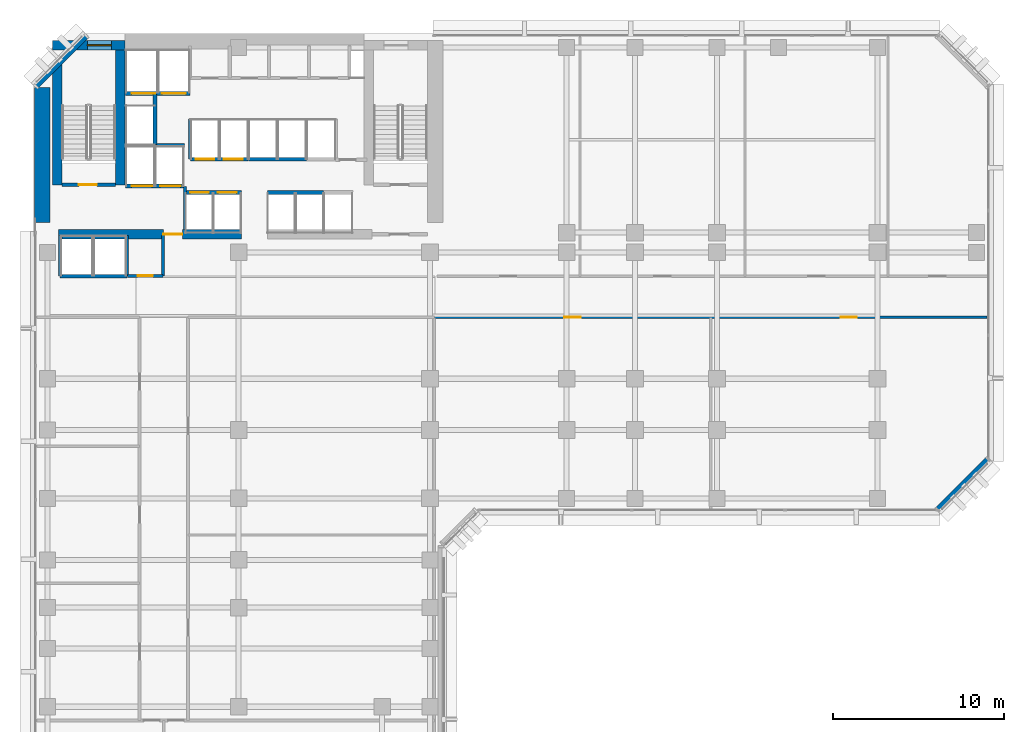
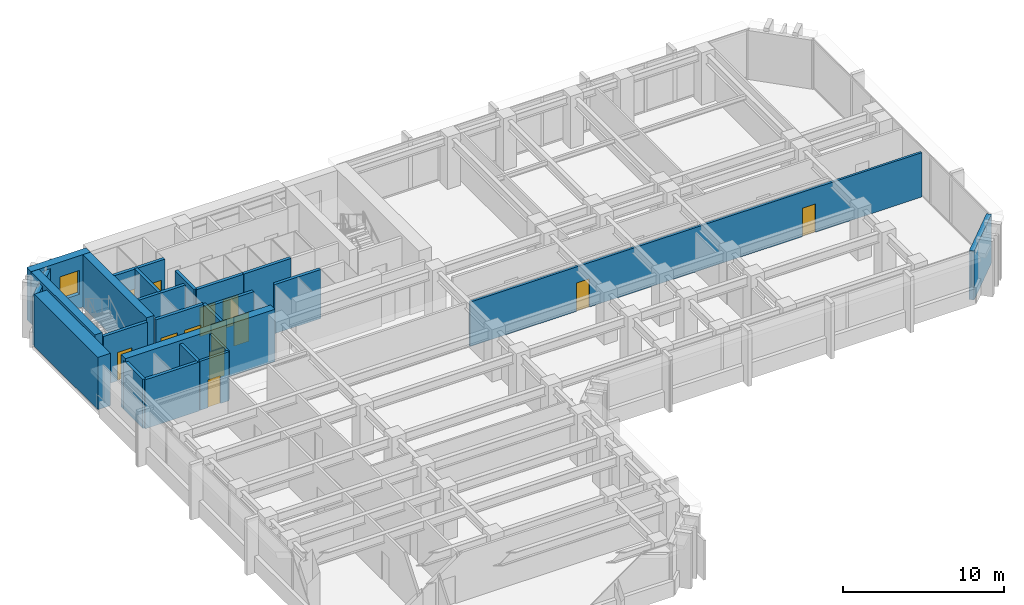
# One storey, part 7 of 14: 24 walls, 13 doors, 1 window, 14 openings.
"""IFC4 building model written with IfcOpenShell, lengths in metres."""

from ifc_helpers import new_model, si_unit, direction, frame, frame_2d, origin, place, context, subcontext, project, spatial, rectangle, extrude, material, layer, layer_set, type_object, element, fill, save


model = new_model("IFC4")

# Units and contexts
model_context = context("Model", 3, precision=1e-05, world=origin(), true_north=direction((0.0, 1.0)))
body_context = subcontext(model_context, "Body", "Model", "MODEL_VIEW")
ifc_project = project(units=[si_unit("LENGTHUNIT", "METRE"), si_unit("AREAUNIT", "SQUARE_METRE"), si_unit("VOLUMEUNIT", "CUBIC_METRE"), si_unit("PLANEANGLEUNIT", "RADIAN"), si_unit("MASSUNIT", "GRAM", prefix="KILO")], contexts=[model_context])

# Site, building, storey
site_placement = place(None, origin())
site = spatial("IfcSite", under=ifc_project, at=site_placement, CompositionType="ELEMENT")
building_placement = place(site_placement, origin())
building = spatial("IfcBuilding", under=site, at=building_placement, Name="Kefirva Bronze Tower", CompositionType="ELEMENT")
storey_placement = place(building_placement, frame((0.0, 0.0, 42.239990234375)))
storey = spatial("IfcBuildingStorey", under=building, at=storey_placement, Name="L09", CompositionType="ELEMENT", Elevation=42.239990234375)

# Wall, opening, door
ifc_material_1 = material(Name="Gypsum fireboard shaftwall")
ifc_layer_1 = layer(ifc_material_1, 0.219970703125, Name="Gypsum fireboard shaftwall")
ifc_layer_set_1 = layer_set([ifc_layer_1], Name="Gypsum fireboard shaftwall")
wall_type_1 = type_object("IfcWallType", Name="Fire-Rated Shaft Enclosure Wall 220mm", PredefinedType="PARTITIONING", material=ifc_layer_set_1)
wall_1_placement = place(storey_placement, frame((1.64990234375, 37.14990234375, 0.0), z_axis=(0.0, 0.0, 1.0), x_axis=(1.0, 0.0, 0.0)))
wall_1 = element("IfcWall", 1, at=wall_1_placement, inside=storey, type_object=wall_type_1, Name="L09 Partition W-L09-ST1S", PredefinedType="PARTITIONING", context=body_context, shape_type="SweptSolid", body=[
    extrude(rectangle(XDim=3.150146484375, YDim=0.219970703125, at=frame_2d((1.5751953125, 0.0))), origin(), (0.0, 0.0, 1.0), 3.7099609375),
])
opening_1_placement = place(wall_1_placement, frame((2.050048828125, 0.0, 0.0), z_axis=(0.0, 0.0, 1.0), x_axis=(-1.0, 0.0, 0.0)))
opening_1 = element("IfcOpeningElement", 2, at=opening_1_placement, cuts=wall_1, Name="Opening L09-D001", PredefinedType="OPENING", context=body_context, shape_type="SweptSolid", body=[
    extrude(rectangle(XDim=1.050048828125, YDim=2.14990234375, at=frame_2d((0.52490234375, 1.074951171875))), frame((0.0, 0.1201171875, 0.0), z_axis=(0.0, -1.0, 0.0), x_axis=(1.0, 0.0, 0.0)), (0.0, 0.0, 1.0), 0.239990234375),
])
ifc_material_2 = material(Name="Painted galvanized steel", Category="steel")
door_type_1 = type_object("IfcDoorType", Name="Fire Stair Enclosure Door 1050x2150 FD90S", OperationType="NOTDEFINED", PredefinedType="DOOR", material=ifc_material_2)
door_1_placement = place(opening_1_placement, origin())
door_1 = element("IfcDoor", 3, at=door_1_placement, inside=storey, type_object=door_type_1, Name="Door L09-D001", OperationType="SINGLE_SWING_LEFT", OverallHeight=2.14990234375, OverallWidth=1.050048828125, PredefinedType="DOOR", context=body_context, shape_type="SweptSolid", body=[
    extrude(rectangle(XDim=1.050048828125, YDim=2.14990234375, at=frame_2d((0.52490234375, 1.074951171875))), frame((0.0, 0.02490234375, 0.0), z_axis=(0.0, -1.0, 0.0), x_axis=(1.0, 0.0, 0.0)), (0.0, 0.0, 1.0), 0.050048828125),
])
fill(opening_1, door_1)

# Wall, openings, doors
wall_2_placement = place(storey_placement, frame((5.3798828125, 37.080078125, 0.0), z_axis=(0.0, 0.0, 1.0), x_axis=(1.0, 0.0, 0.0)))
wall_2 = element("IfcWall", 4, at=wall_2_placement, inside=storey, type_object=wall_type_1, Name="L09 Partition W-L09-FFS", PredefinedType="PARTITIONING", context=body_context, shape_type="SweptSolid", body=[
    extrude(rectangle(XDim=3.460205078125, YDim=0.219970703125, at=frame_2d((1.72998046875, 0.0))), origin(), (0.0, 0.0, 1.0), 3.7099609375),
])
opening_2_placement = place(wall_2_placement, frame((1.550048828125, 0.0, 0.0), z_axis=(0.0, 0.0, 1.0), x_axis=(-1.0, 0.0, 0.0)))
opening_2 = element("IfcOpeningElement", 5, at=opening_2_placement, cuts=wall_2, Name="Opening L09-LD-FF1", PredefinedType="OPENING", context=body_context, shape_type="SweptSolid", body=[
    extrude(rectangle(XDim=1.199951171875, YDim=2.199951171875, at=frame_2d((0.60009765625, 1.10009765625))), frame((0.0, 0.1201171875, 0.0), z_axis=(0.0, -1.0, 0.0), x_axis=(1.0, 0.0, 0.0)), (0.0, 0.0, 1.0), 0.239990234375),
])
opening_3_placement = place(wall_2_placement, frame((3.219970703125, 0.0, 0.0), z_axis=(0.0, 0.0, 1.0), x_axis=(-1.0, 0.0, 0.0)))
opening_3 = element("IfcOpeningElement", 6, at=opening_3_placement, cuts=wall_2, Name="Opening L09-LD-FF2", PredefinedType="OPENING", context=body_context, shape_type="SweptSolid", body=[
    extrude(rectangle(XDim=1.199951171875, YDim=2.199951171875, at=frame_2d((0.60009765625, 1.10009765625))), frame((0.0, 0.1201171875, 0.0), z_axis=(0.0, -1.0, 0.0), x_axis=(1.0, 0.0, 0.0)), (0.0, 0.0, 1.0), 0.239990234375),
])
ifc_material_3 = material(Name="Stainless steel 316", Category="steel")
door_type_2 = type_object("IfcDoorType", Name="Firefighting Lift Sliding Door 1200x2200", OperationType="SLIDING_TO_RIGHT", PredefinedType="DOOR", material=ifc_material_3)
door_2_placement = place(opening_2_placement, origin())
door_2 = element("IfcDoor", 7, at=door_2_placement, inside=storey, type_object=door_type_2, Name="Door L09-LD-FF1", OperationType="SLIDING_TO_RIGHT", OverallHeight=2.199951171875, OverallWidth=1.199951171875, PredefinedType="DOOR", context=body_context, shape_type="SweptSolid", body=[
    extrude(rectangle(XDim=1.199951171875, YDim=2.199951171875, at=frame_2d((0.60009765625, 1.10009765625))), frame((0.0, 0.02490234375, 0.0), z_axis=(0.0, -1.0, 0.0), x_axis=(1.0, 0.0, 0.0)), (0.0, 0.0, 1.0), 0.050048828125),
])
fill(opening_2, door_2)
door_3_placement = place(opening_3_placement, origin())
door_3 = element("IfcDoor", 8, at=door_3_placement, inside=storey, type_object=door_type_2, Name="Door L09-LD-FF2", OperationType="SLIDING_TO_RIGHT", OverallHeight=2.199951171875, OverallWidth=1.199951171875, PredefinedType="DOOR", context=body_context, shape_type="SweptSolid", body=[
    extrude(rectangle(XDim=1.199951171875, YDim=2.199951171875, at=frame_2d((0.60009765625, 1.10009765625))), frame((0.0, 0.02490234375, 0.0), z_axis=(0.0, -1.0, 0.0), x_axis=(1.0, 0.0, 0.0)), (0.0, 0.0, 1.0), 0.050048828125),
])
fill(opening_3, door_3)

# Wall
wall_3_placement = place(storey_placement, frame((5.3798828125, 39.449951171875, 0.0), z_axis=(0.0, 0.0, 1.0), x_axis=(1.0, 0.0, 0.0)))
element("IfcWall", 9, at=wall_3_placement, inside=storey, type_object=wall_type_1, Name="L09 Partition W-L09-FFN", PredefinedType="PARTITIONING", context=body_context, shape_type="SweptSolid", body=[
    extrude(rectangle(XDim=3.460205078125, YDim=0.219970703125, at=frame_2d((1.72998046875, 0.0))), origin(), (0.0, 0.0, 1.0), 3.7099609375),
])

# Wall, openings, doors
wall_4_placement = place(storey_placement, frame((5.3798828125, 42.5, 0.0), z_axis=(0.0, 0.0, 1.0), x_axis=(1.0, 0.0, 0.0)))
wall_4 = element("IfcWall", 10, at=wall_4_placement, inside=storey, type_object=wall_type_1, Name="L09 Partition W-L09-SVS", PredefinedType="PARTITIONING", context=body_context, shape_type="SweptSolid", body=[
    extrude(rectangle(XDim=3.77001953125, YDim=0.219970703125, at=frame_2d((1.885009765625, 0.0))), origin(), (0.0, 0.0, 1.0), 3.7099609375),
])
opening_4_placement = place(wall_4_placement, frame((1.75, 0.0, 0.0), z_axis=(0.0, 0.0, 1.0), x_axis=(-1.0, 0.0, 0.0)))
opening_4 = element("IfcOpeningElement", 11, at=opening_4_placement, cuts=wall_4, Name="Opening L09-LD-SV1", PredefinedType="OPENING", context=body_context, shape_type="SweptSolid", body=[
    extrude(rectangle(XDim=1.39990234375, YDim=2.199951171875, at=frame_2d((0.699951171875, 1.10009765625))), frame((0.0, 0.1201171875, 0.0), z_axis=(0.0, -1.0, 0.0), x_axis=(1.0, 0.0, 0.0)), (0.0, 0.0, 1.0), 0.239990234375),
])
opening_5_placement = place(wall_4_placement, frame((3.52978515625, 0.0, 0.0), z_axis=(0.0, 0.0, 1.0), x_axis=(-1.0, 0.0, 0.0)))
opening_5 = element("IfcOpeningElement", 12, at=opening_5_placement, cuts=wall_4, Name="Opening L09-LD-SV2", PredefinedType="OPENING", context=body_context, shape_type="SweptSolid", body=[
    extrude(rectangle(XDim=1.39990234375, YDim=2.199951171875, at=frame_2d((0.699951171875, 1.10009765625))), frame((0.0, 0.1201171875, 0.0), z_axis=(0.0, -1.0, 0.0), x_axis=(1.0, 0.0, 0.0)), (0.0, 0.0, 1.0), 0.239990234375),
])
door_type_3 = type_object("IfcDoorType", Name="Goods Lift Bi-Parting Sliding Door 1400x2200", OperationType="SLIDING_TO_LEFT", PredefinedType="DOOR", material=ifc_material_3)
door_4_placement = place(opening_4_placement, origin())
door_4 = element("IfcDoor", 13, at=door_4_placement, inside=storey, type_object=door_type_3, Name="Door L09-LD-SV1", OperationType="SLIDING_TO_LEFT", OverallHeight=2.199951171875, OverallWidth=1.39990234375, PredefinedType="DOOR", context=body_context, shape_type="SweptSolid", body=[
    extrude(rectangle(XDim=1.39990234375, YDim=2.199951171875, at=frame_2d((0.699951171875, 1.10009765625))), frame((0.0, 0.02490234375, 0.0), z_axis=(0.0, -1.0, 0.0), x_axis=(1.0, 0.0, 0.0)), (0.0, 0.0, 1.0), 0.050048828125),
])
fill(opening_4, door_4)
door_5_placement = place(opening_5_placement, origin())
door_5 = element("IfcDoor", 14, at=door_5_placement, inside=storey, type_object=door_type_3, Name="Door L09-LD-SV2", OperationType="SLIDING_TO_LEFT", OverallHeight=2.199951171875, OverallWidth=1.39990234375, PredefinedType="DOOR", context=body_context, shape_type="SweptSolid", body=[
    extrude(rectangle(XDim=1.39990234375, YDim=2.199951171875, at=frame_2d((0.699951171875, 1.10009765625))), frame((0.0, 0.02490234375, 0.0), z_axis=(0.0, -1.0, 0.0), x_axis=(1.0, 0.0, 0.0)), (0.0, 0.0, 1.0), 0.050048828125),
])
fill(opening_5, door_5)

# Walls
wall_5_placement = place(storey_placement, frame((7.10009765625, 39.52001953125, 0.0), z_axis=(0.0, 0.0, 1.0), x_axis=(0.0, 1.0, 0.0)))
element("IfcWall", 15, at=wall_5_placement, inside=storey, type_object=wall_type_1, Name="L09 Partition W-L09-HP3E", PredefinedType="PARTITIONING", context=body_context, shape_type="SweptSolid", body=[
    extrude(rectangle(XDim=2.929931640625, YDim=0.219970703125, at=frame_2d((1.46484375, 0.0))), origin(), (0.0, 0.0, 1.0), 3.7099609375),
])
wall_6_placement = place(storey_placement, frame((1.550048828125, 31.800048828125, 0.0), z_axis=(0.0, 0.0, 1.0), x_axis=(1.0, 0.0, 0.0)))
element("IfcWall", 16, at=wall_6_placement, inside=storey, type_object=wall_type_1, Name="L09 Partition W-L09-OBS", PredefinedType="PARTITIONING", context=body_context, shape_type="SweptSolid", body=[
    extrude(rectangle(XDim=3.89990234375, YDim=0.219970703125, at=frame_2d((1.949951171875, 0.0))), origin(), (0.0, 0.0, 1.0), 3.7099609375),
])
for number, where, z_axis, x_axis, name in (
    (17, (1.550048828125, 31.800048828125, 0.0), (0.0, 0.0, 1.0), (0.0, 1.0, 0.0), "L09 Partition W-L09-OBW"),
    (18, (5.449951171875, 31.800048828125, 0.0), (0.0, 0.0, 1.0), (0.0, 1.0, 0.0), "L09 Partition W-L09-OBE"),
):
    element("IfcWall", number, at=place(storey_placement, frame(where, z_axis=z_axis, x_axis=x_axis)), inside=storey, type_object=wall_type_1, Name=name, PredefinedType="PARTITIONING", context=body_context, shape_type="SweptSolid", body=[
        extrude(rectangle(XDim=2.3798828125, YDim=0.219970703125, at=frame_2d((1.18994140625, 0.0))), origin(), (0.0, 0.0, 1.0), 3.7099609375),
    ])
wall_7_placement = place(storey_placement, frame((9.159912109375, 38.64990234375, 0.0), z_axis=(0.0, 0.0, 1.0), x_axis=(0.0, 1.0, 0.0)))
element("IfcWall", 19, at=wall_7_placement, inside=storey, type_object=wall_type_1, Name="L09 Partition W-L09-LP3W", PredefinedType="PARTITIONING", context=body_context, shape_type="SweptSolid", body=[
    extrude(rectangle(XDim=2.35009765625, YDim=0.199951171875, at=frame_2d((1.175048828125, 0.0))), origin(), (0.0, 0.0, 1.0), 3.7099609375),
])

# Wall, openings, doors
wall_8_placement = place(storey_placement, frame((8.89990234375, 36.699951171875, 0.0), z_axis=(0.0, 0.0, 1.0), x_axis=(1.0, 0.0, 0.0)))
wall_8 = element("IfcWall", 20, at=wall_8_placement, inside=storey, type_object=wall_type_1, Name="L09 Partition W-L09-LPS", PredefinedType="PARTITIONING", context=body_context, shape_type="SweptSolid", body=[
    extrude(rectangle(XDim=3.260009765625, YDim=0.219970703125, at=frame_2d((1.6298828125, 0.0))), origin(), (0.0, 0.0, 1.0), 3.7099609375),
])
opening_6_placement = place(wall_8_placement, frame((0.260009765625, 0.0, 0.0)))
opening_6 = element("IfcOpeningElement", 21, at=opening_6_placement, cuts=wall_8, Name="Opening L09-LD-LP1", PredefinedType="OPENING", context=body_context, shape_type="SweptSolid", body=[
    extrude(rectangle(XDim=1.10009765625, YDim=2.199951171875, at=frame_2d((0.550048828125, 1.10009765625))), frame((0.0, 0.1201171875, 0.0), z_axis=(0.0, -1.0, 0.0), x_axis=(1.0, 0.0, 0.0)), (0.0, 0.0, 1.0), 0.239990234375),
])
opening_7_placement = place(wall_8_placement, frame((1.8798828125, 0.0, 0.0)))
opening_7 = element("IfcOpeningElement", 22, at=opening_7_placement, cuts=wall_8, Name="Opening L09-LD-LP2", PredefinedType="OPENING", context=body_context, shape_type="SweptSolid", body=[
    extrude(rectangle(XDim=1.10009765625, YDim=2.199951171875, at=frame_2d((0.550048828125, 1.10009765625))), frame((0.0, 0.1201171875, 0.0), z_axis=(0.0, -1.0, 0.0), x_axis=(1.0, 0.0, 0.0)), (0.0, 0.0, 1.0), 0.239990234375),
])
door_type_4 = type_object("IfcDoorType", Name="Passenger Lift Sliding Landing Door 1100x2200", OperationType="SLIDING_TO_LEFT", PredefinedType="DOOR", material=ifc_material_3)
door_6_placement = place(opening_6_placement, origin())
door_6 = element("IfcDoor", 23, at=door_6_placement, inside=storey, type_object=door_type_4, Name="Door L09-LD-LP1", OperationType="SLIDING_TO_LEFT", OverallHeight=2.199951171875, OverallWidth=1.10009765625, PredefinedType="DOOR", context=body_context, shape_type="SweptSolid", body=[
    extrude(rectangle(XDim=1.10009765625, YDim=2.199951171875, at=frame_2d((0.550048828125, 1.10009765625))), frame((0.0, 0.02490234375, 0.0), z_axis=(0.0, -1.0, 0.0), x_axis=(1.0, 0.0, 0.0)), (0.0, 0.0, 1.0), 0.050048828125),
])
fill(opening_6, door_6)
door_7_placement = place(opening_7_placement, origin())
door_7 = element("IfcDoor", 24, at=door_7_placement, inside=storey, type_object=door_type_4, Name="Door L09-LD-LP2", OperationType="SLIDING_TO_LEFT", OverallHeight=2.199951171875, OverallWidth=1.10009765625, PredefinedType="DOOR", context=body_context, shape_type="SweptSolid", body=[
    extrude(rectangle(XDim=1.10009765625, YDim=2.199951171875, at=frame_2d((0.550048828125, 1.10009765625))), frame((0.0, 0.02490234375, 0.0), z_axis=(0.0, -1.0, 0.0), x_axis=(1.0, 0.0, 0.0)), (0.0, 0.0, 1.0), 0.050048828125),
])
fill(opening_7, door_7)

wall_9_placement = place(storey_placement, frame((9.179931640625, 38.64990234375, 0.0), z_axis=(0.0, 0.0, 1.0), x_axis=(1.0, 0.0, 0.0)))
wall_9 = element("IfcWall", 25, at=wall_9_placement, inside=storey, type_object=wall_type_1, Name="L09 Partition W-L09-LPN", PredefinedType="PARTITIONING", context=body_context, shape_type="SweptSolid", body=[
    extrude(rectangle(XDim=3.380126953125, YDim=0.219970703125, at=frame_2d((1.68994140625, 0.0))), origin(), (0.0, 0.0, 1.0), 3.7099609375),
])
opening_8_placement = place(wall_9_placement, frame((0.300048828125, 0.0, 0.0)))
opening_8 = element("IfcOpeningElement", 26, at=opening_8_placement, cuts=wall_9, Name="Opening L09-LD-LP3", PredefinedType="OPENING", context=body_context, shape_type="SweptSolid", body=[
    extrude(rectangle(XDim=1.10009765625, YDim=2.199951171875, at=frame_2d((0.550048828125, 1.10009765625))), frame((0.0, 0.1201171875, 0.0), z_axis=(0.0, -1.0, 0.0), x_axis=(1.0, 0.0, 0.0)), (0.0, 0.0, 1.0), 0.239990234375),
])
opening_9_placement = place(wall_9_placement, frame((1.949951171875, 0.0, 0.0)))
opening_9 = element("IfcOpeningElement", 27, at=opening_9_placement, cuts=wall_9, Name="Opening L09-LD-LP4", PredefinedType="OPENING", context=body_context, shape_type="SweptSolid", body=[
    extrude(rectangle(XDim=1.10009765625, YDim=2.199951171875, at=frame_2d((0.550048828125, 1.10009765625))), frame((0.0, 0.1201171875, 0.0), z_axis=(0.0, -1.0, 0.0), x_axis=(1.0, 0.0, 0.0)), (0.0, 0.0, 1.0), 0.239990234375),
])
door_8_placement = place(opening_8_placement, origin())
door_8 = element("IfcDoor", 28, at=door_8_placement, inside=storey, type_object=door_type_4, Name="Door L09-LD-LP3", OperationType="SLIDING_TO_LEFT", OverallHeight=2.199951171875, OverallWidth=1.10009765625, PredefinedType="DOOR", context=body_context, shape_type="SweptSolid", body=[
    extrude(rectangle(XDim=1.10009765625, YDim=2.199951171875, at=frame_2d((0.550048828125, 1.10009765625))), frame((0.0, 0.02490234375, 0.0), z_axis=(0.0, -1.0, 0.0), x_axis=(1.0, 0.0, 0.0)), (0.0, 0.0, 1.0), 0.050048828125),
])
fill(opening_8, door_8)
door_9_placement = place(opening_9_placement, origin())
door_9 = element("IfcDoor", 29, at=door_9_placement, inside=storey, type_object=door_type_4, Name="Door L09-LD-LP4", OperationType="SLIDING_TO_LEFT", OverallHeight=2.199951171875, OverallWidth=1.10009765625, PredefinedType="DOOR", context=body_context, shape_type="SweptSolid", body=[
    extrude(rectangle(XDim=1.10009765625, YDim=2.199951171875, at=frame_2d((0.550048828125, 1.10009765625))), frame((0.0, 0.02490234375, 0.0), z_axis=(0.0, -1.0, 0.0), x_axis=(1.0, 0.0, 0.0)), (0.0, 0.0, 1.0), 0.050048828125),
])
fill(opening_9, door_9)

# Walls
wall_10_placement = place(storey_placement, frame((13.679931640625, 36.699951171875, 0.0), z_axis=(0.0, 0.0, 1.0), x_axis=(1.0, 0.0, 0.0)))
element("IfcWall", 30, at=wall_10_placement, inside=storey, type_object=wall_type_1, Name="L09 Partition W-L09-MPS", PredefinedType="PARTITIONING", context=body_context, shape_type="SweptSolid", body=[
    extrude(rectangle(XDim=3.280029296875, YDim=0.219970703125, at=frame_2d((1.64013671875, 0.0))), origin(), (0.0, 0.0, 1.0), 3.7099609375),
])
wall_11_placement = place(storey_placement, frame((12.580078125, 38.64990234375, 0.0), z_axis=(0.0, 0.0, 1.0), x_axis=(1.0, 0.0, 0.0)))
element("IfcWall", 31, at=wall_11_placement, inside=storey, type_object=wall_type_1, Name="L09 Partition W-L09-MPN", PredefinedType="PARTITIONING", context=body_context, shape_type="SweptSolid", body=[
    extrude(rectangle(XDim=3.3798828125, YDim=0.219970703125, at=frame_2d((1.68994140625, 0.0))), origin(), (0.0, 0.0, 1.0), 3.7099609375),
])
ifc_material_4 = material(Name="Gypsum fireboard barrier")
ifc_layer_2 = layer(ifc_material_4, 0.199951171875, Name="Gypsum fireboard barrier")
ifc_layer_set_2 = layer_set([ifc_layer_2], Name="Gypsum fireboard barrier")
wall_type_2 = type_object("IfcWallType", Name="Firefighting Lobby Barrier Wall 200mm", PredefinedType="PARTITIONING", material=ifc_layer_set_2)
wall_12_placement = place(storey_placement, frame((8.860107421875, 34.550048828125, 0.0), z_axis=(0.0, 0.0, 1.0), x_axis=(0.0, 1.0, 0.0)))
element("IfcWall", 32, at=wall_12_placement, inside=storey, type_object=wall_type_2, Name="L09 Partition W-L09-FFLE", PredefinedType="PARTITIONING", context=body_context, shape_type="SweptSolid", body=[
    extrude(rectangle(XDim=2.5, YDim=0.199951171875, at=frame_2d((1.25, 0.0))), origin(), (0.0, 0.0, 1.0), 3.7099609375),
])
ifc_material_5 = material(Name="Precast concrete C40/50", Category="concrete")
ifc_layer_3 = layer(ifc_material_5, 0.320068359375, Name="Precast concrete C40/50")
ifc_layer_set_3 = layer_set([ifc_layer_3], Name="Precast concrete C40/50")
wall_type_3 = type_object("IfcWallType", Name="Precast Insulated Exterior Wall 320mm", PredefinedType="SOLIDWALL", material=ifc_layer_set_3)
for number, where, z_axis, x_axis, name in (
    (33, (52.92578125, 18.152099609375, 0.0), (0.0, 0.0, 1.0), (0.707106781187, 0.707106781187, 0.0), "L09 Exterior Facade Wall 4"),
    (34, (3.07421875, 45.847900390625, 0.0), (0.0, 0.0, 1.0), (-0.707106781187, -0.707106781187, 0.0), "L09 Exterior Facade Wall 6"),
):
    element("IfcWall", number, at=place(storey_placement, frame(where, z_axis=z_axis, x_axis=x_axis)), inside=storey, type_object=wall_type_3, Name=name, PredefinedType="SOLIDWALL", context=body_context, shape_type="SweptSolid", body=[
        extrude(rectangle(XDim=4.132568359375, YDim=0.320068359375, at=frame_2d((2.06640625, 0.0))), origin(), (0.0, 0.0, 1.0), 3.7099609375),
    ])

# Wall, openings, doors
ifc_material_6 = material(Name="Gypsum acoustic partition")
ifc_layer_4 = layer(ifc_material_6, 0.159912109375, Name="Gypsum acoustic partition")
ifc_layer_set_4 = layer_set([ifc_layer_4], Name="Gypsum acoustic partition")
wall_type_4 = type_object("IfcWallType", Name="Protected Corridor Partition 160mm", PredefinedType="PARTITIONING", material=ifc_layer_set_4)
wall_13_placement = place(storey_placement, frame((23.449951171875, 29.39990234375, 0.0), z_axis=(0.0, 0.0, 1.0), x_axis=(1.0, 0.0, 0.0)))
wall_13 = element("IfcWall", 35, at=wall_13_placement, inside=storey, type_object=wall_type_4, Name="L09 Partition W-L09-EWS", PredefinedType="PARTITIONING", context=body_context, shape_type="SweptSolid", body=[
    extrude(rectangle(XDim=32.360107421875, YDim=0.159912109375, at=frame_2d((16.18017578125, 0.0))), origin(), (0.0, 0.0, 1.0), 3.364990234375),
])
opening_10_placement = place(wall_13_placement, frame((8.56494140625, 0.0, 0.0), z_axis=(0.0, 0.0, 1.0), x_axis=(-1.0, 0.0, 0.0)))
opening_10 = element("IfcOpeningElement", 36, at=opening_10_placement, cuts=wall_13, Name="Opening L09-D-ES1", PredefinedType="OPENING", context=body_context, shape_type="SweptSolid", body=[
    extrude(rectangle(XDim=0.949951171875, YDim=2.14990234375, at=frame_2d((0.47509765625, 1.074951171875))), frame((0.0, 0.08984375, 0.0), z_axis=(0.0, -1.0, 0.0), x_axis=(1.0, 0.0, 0.0)), (0.0, 0.0, 1.0), 0.179931640625),
])
opening_11_placement = place(wall_13_placement, frame((24.744873046875, 0.0, 0.0), z_axis=(0.0, 0.0, 1.0), x_axis=(-1.0, 0.0, 0.0)))
opening_11 = element("IfcOpeningElement", 37, at=opening_11_placement, cuts=wall_13, Name="Opening L09-D-ES2", PredefinedType="OPENING", context=body_context, shape_type="SweptSolid", body=[
    extrude(rectangle(XDim=0.949951171875, YDim=2.14990234375, at=frame_2d((0.47509765625, 1.074951171875))), frame((0.0, 0.08984375, 0.0), z_axis=(0.0, -1.0, 0.0), x_axis=(1.0, 0.0, 0.0)), (0.0, 0.0, 1.0), 0.179931640625),
])
ifc_material_7 = material(Name="Acoustic hardwood oak", Category="wood")
door_type_5 = type_object("IfcDoorType", Name="Office & Meeting Room Door 950x2150", OperationType="NOTDEFINED", PredefinedType="DOOR", material=ifc_material_7)
door_10_placement = place(opening_10_placement, origin())
door_10 = element("IfcDoor", 38, at=door_10_placement, inside=storey, type_object=door_type_5, Name="Door L09-D-ES1", OperationType="SINGLE_SWING_RIGHT", OverallHeight=2.14990234375, OverallWidth=0.949951171875, PredefinedType="DOOR", context=body_context, shape_type="SweptSolid", body=[
    extrude(rectangle(XDim=0.949951171875, YDim=2.14990234375, at=frame_2d((0.47509765625, 1.074951171875))), frame((0.0, 0.02490234375, 0.0), z_axis=(0.0, -1.0, 0.0), x_axis=(1.0, 0.0, 0.0)), (0.0, 0.0, 1.0), 0.050048828125),
])
fill(opening_10, door_10)
door_11_placement = place(opening_11_placement, origin())
door_11 = element("IfcDoor", 39, at=door_11_placement, inside=storey, type_object=door_type_5, Name="Door L09-D-ES2", OperationType="SINGLE_SWING_LEFT", OverallHeight=2.14990234375, OverallWidth=0.949951171875, PredefinedType="DOOR", context=body_context, shape_type="SweptSolid", body=[
    extrude(rectangle(XDim=0.949951171875, YDim=2.14990234375, at=frame_2d((0.47509765625, 1.074951171875))), frame((0.0, 0.02490234375, 0.0), z_axis=(0.0, -1.0, 0.0), x_axis=(1.0, 0.0, 0.0)), (0.0, 0.0, 1.0), 0.050048828125),
])
fill(opening_11, door_11)

# Wall, opening, window
ifc_material_8 = material(Name="Concrete C50/60", Category="concrete")
ifc_layer_5 = layer(ifc_material_8, 0.550048828125, Name="Concrete C50/60")
ifc_layer_set_5 = layer_set([ifc_layer_5], Name="Concrete C50/60")
wall_type_5 = type_object("IfcWallType", Name="RC Rear Core Exterior Wall 550mm", PredefinedType="SHEAR", material=ifc_layer_set_5)
wall_14_placement = place(storey_placement, frame((1.10009765625, 45.320068359375, 0.0), z_axis=(0.0, 0.0, 1.0), x_axis=(1.0, 0.0, 0.0)))
wall_14 = element("IfcWall", 40, at=wall_14_placement, inside=storey, type_object=wall_type_5, Name="L09 Stair 1 North Shear Wall", PredefinedType="SHEAR", context=body_context, shape_type="SweptSolid", body=[
    extrude(rectangle(XDim=4.239990234375, YDim=0.550048828125, at=frame_2d((2.1201171875, 0.0))), origin(), (0.0, 0.0, 1.0), 3.9599609375),
])
opening_12_placement = place(wall_14_placement, frame((2.050048828125, 0.0, 1.050048828125)))
opening_12 = element("IfcOpeningElement", 41, at=opening_12_placement, cuts=wall_14, Name="Opening WN-03", PredefinedType="OPENING", context=body_context, shape_type="SweptSolid", body=[
    extrude(rectangle(XDim=1.39990234375, YDim=1.800048828125, at=frame_2d((0.699951171875, 0.89990234375))), frame((0.0, 0.28515625, 0.0), z_axis=(0.0, -1.0, 0.0), x_axis=(1.0, 0.0, 0.0)), (0.0, 0.0, 1.0), 0.570068359375),
])
ifc_material_9 = material(Name="Laminated low-E double glazing", Category="glass")
window_type = type_object("IfcWindowType", Name="Rear-Core Stair Daylight Window 1400x1800", PartitioningType="SINGLE_PANEL", PredefinedType="WINDOW", material=ifc_material_9)
window_placement = place(opening_12_placement, origin())
window = element("IfcWindow", 42, at=window_placement, inside=storey, type_object=window_type, Name="L09 Stair 1 Daylight Window", OverallHeight=1.800048828125, OverallWidth=1.39990234375, PartitioningType="SINGLE_PANEL", PredefinedType="WINDOW", context=body_context, shape_type="SweptSolid", body=[
    extrude(rectangle(XDim=1.39990234375, YDim=1.800048828125, at=frame_2d((0.699951171875, 0.89990234375))), frame((0.0, 0.030029296875, 0.0), z_axis=(0.0, -1.0, 0.0), x_axis=(1.0, 0.0, 0.0)), (0.0, 0.0, 1.0), 0.06005859375),
])
fill(opening_12, window)

# Walls
ifc_material_10 = material(Name="Concrete C60/75", Category="concrete")
ifc_layer_6 = layer(ifc_material_10, 0.89990234375, Name="Concrete C60/75")
ifc_layer_set_6 = layer_set([ifc_layer_6], Name="Concrete C60/75")
wall_type_6 = type_object("IfcWallType", Name="RC Rear Core Exterior Wall 900mm", PredefinedType="SHEAR", material=ifc_layer_set_6)
wall_15_placement = place(storey_placement, frame((0.5, 34.949951171875, 0.0), z_axis=(0.0, 0.0, 1.0), x_axis=(0.0, 1.0, 0.0)))
element("IfcWall", 43, at=wall_15_placement, inside=storey, type_object=wall_type_6, Name="L09 Rear Core West Shear Wall", PredefinedType="SHEAR", context=body_context, shape_type="SweptSolid", body=[
    extrude(rectangle(XDim=7.900146484375, YDim=0.89990234375, at=frame_2d((3.9501953125, 0.0))), origin(), (0.0, 0.0, 1.0), 3.9599609375),
])
ifc_layer_7 = layer(ifc_material_8, 0.550048828125, Name="Concrete C50/60")
ifc_layer_set_7 = layer_set([ifc_layer_7], Name="Concrete C50/60")
wall_type_7 = type_object("IfcWallType", Name="RC Rear Core Interior Wall 550mm", PredefinedType="SHEAR", material=ifc_layer_set_7)
for number, where, z_axis, x_axis, name in (
    (44, (1.3701171875, 37.14990234375, 0.0), (0.0, 0.0, 1.0), (0.0, 1.0, 0.0), "L09 Stair 1 West Shear Wall"),
    (45, (5.070068359375, 37.14990234375, 0.0), (0.0, 0.0, 1.0), (0.0, 1.0, 0.0), "L09 Stair 1 East Shear Wall"),
):
    element("IfcWall", number, at=place(storey_placement, frame(where, z_axis=z_axis, x_axis=x_axis)), inside=storey, type_object=wall_type_7, Name=name, PredefinedType="SHEAR", context=body_context, shape_type="SweptSolid", body=[
        extrude(rectangle(XDim=7.89013671875, YDim=0.550048828125, at=frame_2d((3.945068359375, 0.0))), origin(), (0.0, 0.0, 1.0), 3.9599609375),
    ])

# Wall, opening, door
ifc_layer_8 = layer(ifc_material_10, 0.89990234375, Name="Concrete C60/75")
ifc_layer_set_8 = layer_set([ifc_layer_8], Name="Concrete C60/75")
wall_type_8 = type_object("IfcWallType", Name="RC Rear Core Interior Wall 900mm", PredefinedType="SHEAR", material=ifc_layer_set_8)
wall_16_placement = place(storey_placement, frame((1.449951171875, 34.25, 0.0), z_axis=(0.0, 0.0, 1.0), x_axis=(1.0, 0.0, 0.0)))
wall_16 = element("IfcWall", 46, at=wall_16_placement, inside=storey, type_object=wall_type_8, Name="L09 Rear Core South-West Shear Wall", PredefinedType="SHEAR", context=body_context, shape_type="SweptSolid", body=[
    extrude(rectangle(XDim=10.7099609375, YDim=0.550048828125, at=frame_2d((5.35498046875, 0.0))), origin(), (0.0, 0.0, 1.0), 3.9599609375),
])
opening_13_placement = place(wall_16_placement, frame((7.25, 0.0, 0.0), z_axis=(0.0, 0.0, 1.0), x_axis=(-1.0, 0.0, 0.0)))
opening_13 = element("IfcOpeningElement", 47, at=opening_13_placement, cuts=wall_16, Name="Opening L09-D002", PredefinedType="OPENING", context=body_context, shape_type="SweptSolid", body=[
    extrude(rectangle(XDim=1.10009765625, YDim=2.14990234375, at=frame_2d((0.550048828125, 1.074951171875))), frame((0.0, 0.28515625, 0.0), z_axis=(0.0, -1.0, 0.0), x_axis=(1.0, 0.0, 0.0)), (0.0, 0.0, 1.0), 0.570068359375),
])
door_type_6 = type_object("IfcDoorType", Name="Firefighting Lobby Smoke Door 1100x2150 FD60S", OperationType="NOTDEFINED", PredefinedType="DOOR", material=ifc_material_2)
door_12_placement = place(opening_13_placement, origin())
door_12 = element("IfcDoor", 48, at=door_12_placement, inside=storey, type_object=door_type_6, Name="Door L09-D002", OperationType="SINGLE_SWING_RIGHT", OverallHeight=2.14990234375, OverallWidth=1.10009765625, PredefinedType="DOOR", context=body_context, shape_type="SweptSolid", body=[
    extrude(rectangle(XDim=1.10009765625, YDim=2.14990234375, at=frame_2d((0.550048828125, 1.074951171875))), frame((0.0, 0.02490234375, 0.0), z_axis=(0.0, -1.0, 0.0), x_axis=(1.0, 0.0, 0.0)), (0.0, 0.0, 1.0), 0.050048828125),
])
fill(opening_13, door_12)

ifc_material_11 = material(Name="Moisture-resistant partition")
ifc_layer_9 = layer(ifc_material_11, 0.179931640625, Name="Moisture-resistant partition")
ifc_layer_set_9 = layer_set([ifc_layer_9], Name="Moisture-resistant partition")
wall_type_9 = type_object("IfcWallType", Name="Sanitary Plumbing Chase Wall 180mm", PredefinedType="PLUMBINGWALL", material=ifc_layer_set_9)
wall_17_placement = place(storey_placement, frame((5.5, 31.820068359375, 0.0), z_axis=(0.0, 0.0, 1.0), x_axis=(1.0, 0.0, 0.0)))
wall_17 = element("IfcWall", 49, at=wall_17_placement, inside=storey, type_object=wall_type_9, Name="L09 Partition W-L09-TCS", PredefinedType="PLUMBINGWALL", context=body_context, shape_type="SweptSolid", body=[
    extrude(rectangle(XDim=2.080078125, YDim=0.179931640625, at=frame_2d((1.0400390625, 0.0))), origin(), (0.0, 0.0, 1.0), 3.7099609375),
])
opening_14_placement = place(wall_17_placement, frame((1.47998046875, 0.0, 0.0), z_axis=(0.0, 0.0, 1.0), x_axis=(-1.0, 0.0, 0.0)))
opening_14 = element("IfcOpeningElement", 50, at=opening_14_placement, cuts=wall_17, Name="Opening L09-D-TCL1", PredefinedType="OPENING", context=body_context, shape_type="SweptSolid", body=[
    extrude(rectangle(XDim=0.89990234375, YDim=2.10009765625, at=frame_2d((0.449951171875, 1.050048828125))), frame((0.0, 0.10009765625, 0.0), z_axis=(0.0, -1.0, 0.0), x_axis=(1.0, 0.0, 0.0)), (0.0, 0.0, 1.0), 0.199951171875),
])
door_type_7 = type_object("IfcDoorType", Name="Telecom & Meter Fire Door 900x2100 FD60S", OperationType="NOTDEFINED", PredefinedType="DOOR", material=ifc_material_2)
door_13_placement = place(opening_14_placement, origin())
door_13 = element("IfcDoor", 51, at=door_13_placement, inside=storey, type_object=door_type_7, Name="Door L09-D-TCL1", OperationType="SINGLE_SWING_RIGHT", OverallHeight=2.10009765625, OverallWidth=0.89990234375, PredefinedType="DOOR", context=body_context, shape_type="SweptSolid", body=[
    extrude(rectangle(XDim=0.89990234375, YDim=2.10009765625, at=frame_2d((0.449951171875, 1.050048828125))), frame((0.0, 0.02490234375, 0.0), z_axis=(0.0, -1.0, 0.0), x_axis=(1.0, 0.0, 0.0)), (0.0, 0.0, 1.0), 0.050048828125),
])
fill(opening_14, door_13)

# Wall
wall_18_placement = place(storey_placement, frame((7.580078125, 31.820068359375, 0.0), z_axis=(0.0, 0.0, 1.0), x_axis=(0.0, 1.0, 0.0)))
element("IfcWall", 52, at=wall_18_placement, inside=storey, type_object=wall_type_9, Name="L09 Partition W-L09-TCE", PredefinedType="PLUMBINGWALL", context=body_context, shape_type="SweptSolid", body=[
    extrude(rectangle(XDim=2.35986328125, YDim=0.179931640625, at=frame_2d((1.179931640625, 0.0))), origin(), (0.0, 0.0, 1.0), 3.7099609375),
])

save(model, "model.ifc")
